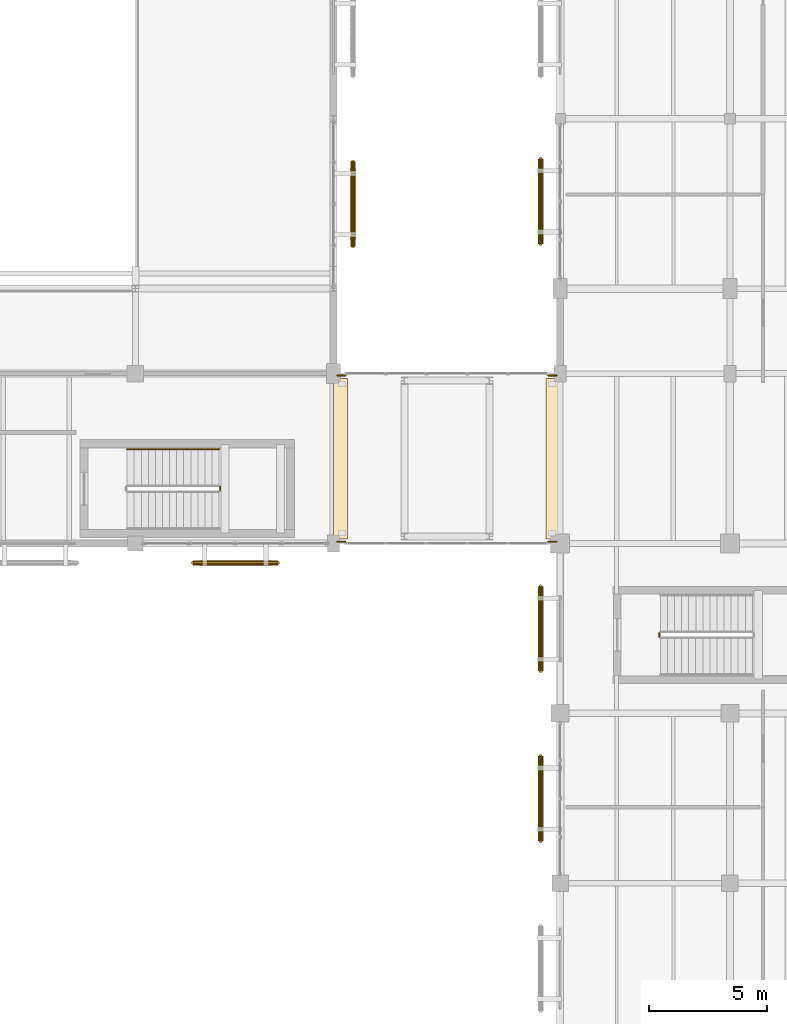
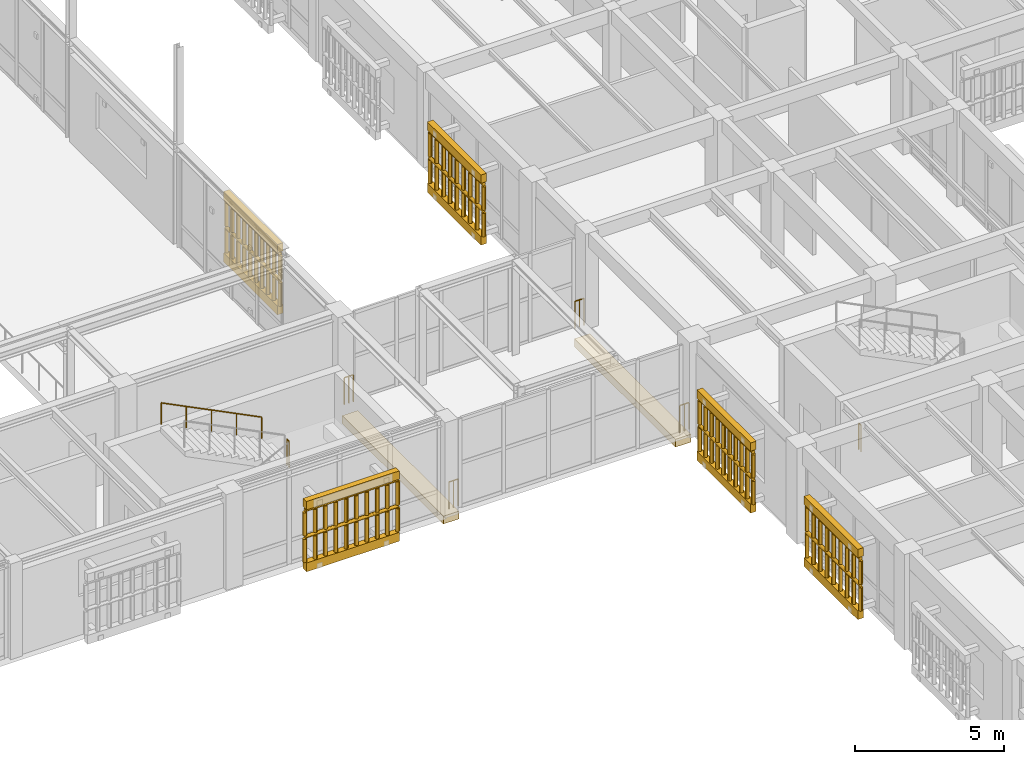
# One storey, part 160 of 170: 17 railings, 12 coverings.
"""IFC4 building model written with IfcOpenShell, lengths in metres."""

from ifc_helpers import new_model, si_unit, direction, frame, origin, origin_2d, place, context, subcontext, project, spatial, polyline, circle, outline, extrude, material, layer, layer_set, type_object, element, save


model = new_model("IFC4")

# Units and contexts
model_context = context("Model", 3, precision=1e-05, world=origin(), true_north=direction((0.0, 1.0)))
body_context = subcontext(model_context, "Body", "Model", "MODEL_VIEW")
ifc_project = project(units=[si_unit("LENGTHUNIT", "METRE"), si_unit("AREAUNIT", "SQUARE_METRE"), si_unit("VOLUMEUNIT", "CUBIC_METRE"), si_unit("PLANEANGLEUNIT", "RADIAN"), si_unit("MASSUNIT", "GRAM", prefix="KILO")], contexts=[model_context])

# Site, building, storey
site_placement = place(None, origin())
site = spatial("IfcSite", under=ifc_project, at=site_placement, CompositionType="ELEMENT")
building_placement = place(site_placement, origin())
building = spatial("IfcBuilding", under=site, at=building_placement, Name="Mazaris Harbour Polytechnic", CompositionType="ELEMENT")
storey_placement = place(building_placement, frame((0.0, 0.0, 5.39990234375)))
storey = spatial("IfcBuildingStorey", under=building, at=storey_placement, Name="L01", CompositionType="ELEMENT", Elevation=5.39990234375)

# Coverings
ifc_material_1 = material(Name="Concrete C40/50", Category="concrete")
ifc_layer_1 = layer(ifc_material_1, 0.320068359375, Name="Concrete C40/50")
ifc_layer_set_1 = layer_set([ifc_layer_1], Name="Concrete C40/50")
covering_type_1 = type_object("IfcCoveringType", Name="Bridge Bearing Corbel 600 Exterior", PredefinedType="CLADDING", material=ifc_layer_set_1)
covering_1_placement = place(storey_placement, frame((0.0, 0.0, -0.64990234375)))
element("IfcCovering", 1, at=covering_1_placement, inside=storey, type_object=covering_type_1, Name="PB-E2 L01 600mm Bridge Bearing Seat Corbel W", PredefinedType="CLADDING", context=body_context, shape_type="SweptSolid", body=[
    extrude(outline(polyline([(112.800048828125, 75.800048828125), (113.39990234375, 75.800048828125), (113.39990234375, 82.60009765625), (112.800048828125, 82.60009765625), (112.800048828125, 75.800048828125)])), origin(), (0.0, 0.0, 1.0), 0.320068359375),
])
covering_2_placement = place(storey_placement, frame((0.0, 0.0, -0.64990234375)))
element("IfcCovering", 2, at=covering_2_placement, inside=storey, type_object=covering_type_1, Name="PB-E2 L01 600mm Bridge Bearing Seat Corbel E", PredefinedType="CLADDING", context=body_context, shape_type="SweptSolid", body=[
    extrude(outline(polyline([(121.800048828125, 75.800048828125), (122.39990234375, 75.800048828125), (122.39990234375, 82.60009765625), (121.800048828125, 82.60009765625), (121.800048828125, 75.800048828125)])), origin(), (0.0, 0.0, 1.0), 0.320068359375),
])

# Railings
ifc_material_2 = material(Name="Steel S355", Category="steel")
railing_type_1 = type_object("IfcRailingType", Name="Mezzanine Steel Guardrail 1100 Exterior", PredefinedType="GUARDRAIL", material=ifc_material_2)
for number, where, name in (
    (3, (112.949951171875, 75.679931640625, 0.0), "PB-E2 L01 Bridge End Guard W0"),
    (4, (121.89990234375, 75.679931640625, 0.0), "PB-E2 L01 Bridge End Guard E0"),
    (5, (112.949951171875, 82.719970703125, 0.0), "PB-E2 L01 Bridge End Guard W1"),
    (6, (121.89990234375, 82.719970703125, 0.0), "PB-E2 L01 Bridge End Guard E1"),
):
    element("IfcRailing", number, at=place(storey_placement, frame(where)), inside=storey, type_object=railing_type_1, Name=name, PredefinedType="GUARDRAIL", context=body_context, shape_type="SweptSolid", body=[
        extrude(circle(Radius=0.02392578125, at=origin_2d()), frame((0.0, 0.0, 1.09619140625), z_axis=(1.0, 0.0, 0.0), x_axis=(0.0, 1.0, 0.0)), (0.0, 0.0, 1.0), 0.35009765625),
        extrude(circle(Radius=0.02099609375, at=origin_2d()), origin(), (0.0, 0.0, 1.0), 1.072021484375),
        extrude(circle(Radius=0.02099609375, at=origin_2d()), frame((0.175048828125, 0.0, 0.0)), (0.0, 0.0, 1.0), 1.072021484375),
        extrude(circle(Radius=0.02099609375, at=origin_2d()), frame((0.35009765625, 0.0, 0.0)), (0.0, 0.0, 1.0), 1.072021484375),
    ])
ifc_material_3 = material(Name="Perforated Earth-Coloured Terracotta Block", Category="masonry")
railing_type_2 = type_object("IfcRailingType", Name="Perforated Earth-Block Claustra Lattice 1040", PredefinedType="BALUSTRADE", material=ifc_material_3)
for number, where, name in (
    (7, (110.4375, 74.780029296875, 0.52001953125), "V1 L01 Lower Perforated Terracotta Block Screen 10"),
    (8, (110.4375, 74.780029296875, 1.610107421875), "V1 L01 Upper Perforated Terracotta Block Screen 10"),
):
    element("IfcRailing", number, at=place(storey_placement, frame(where)), inside=storey, type_object=railing_type_2, Name=name, PredefinedType="BALUSTRADE", context=body_context, shape_type="SweptSolid", body=[
        extrude(circle(Radius=0.06982421875, at=origin_2d()), frame((0.0, 0.0, 1.02001953125), z_axis=(-1.0, 0.0, 0.0), x_axis=(0.0, -1.0, 0.0)), (0.0, 0.0, 1.0), 3.60009765625),
        extrude(circle(Radius=0.074951171875, at=origin_2d()), origin(), (0.0, 0.0, 1.0), 0.9501953125),
        extrude(circle(Radius=0.074951171875, at=origin_2d()), frame((-0.39990234375, 0.0, 0.0)), (0.0, 0.0, 1.0), 0.9501953125),
        extrude(circle(Radius=0.074951171875, at=origin_2d()), frame((-0.800048828125, 0.0, 0.0)), (0.0, 0.0, 1.0), 0.9501953125),
        extrude(circle(Radius=0.074951171875, at=origin_2d()), frame((-1.199951171875, 0.0, 0.0)), (0.0, 0.0, 1.0), 0.9501953125),
        extrude(circle(Radius=0.074951171875, at=origin_2d()), frame((-1.60009765625, 0.0, 0.0)), (0.0, 0.0, 1.0), 0.9501953125),
        extrude(circle(Radius=0.074951171875, at=origin_2d()), frame((-2.0, 0.0, 0.0)), (0.0, 0.0, 1.0), 0.9501953125),
        extrude(circle(Radius=0.074951171875, at=origin_2d()), frame((-2.400146484375, 0.0, 0.0)), (0.0, 0.0, 1.0), 0.9501953125),
        extrude(circle(Radius=0.074951171875, at=origin_2d()), frame((-2.800048828125, 0.0, 0.0)), (0.0, 0.0, 1.0), 0.9501953125),
        extrude(circle(Radius=0.074951171875, at=origin_2d()), frame((-3.2001953125, 0.0, 0.0)), (0.0, 0.0, 1.0), 0.9501953125),
        extrude(circle(Radius=0.074951171875, at=origin_2d()), frame((-3.60009765625, 0.0, 0.0)), (0.0, 0.0, 1.0), 0.9501953125),
    ])
for number, where, name in (
    (9, (113.6201171875, 91.7900390625, 0.52001953125), "V1 L01 Lower Perforated Terracotta Block Screen 21"),
    (10, (113.6201171875, 91.7900390625, 1.610107421875), "V1 L01 Upper Perforated Terracotta Block Screen 21"),
):
    element("IfcRailing", number, at=place(storey_placement, frame(where)), inside=storey, type_object=railing_type_2, Name=name, PredefinedType="BALUSTRADE", context=body_context, shape_type="SweptSolid", body=[
        extrude(circle(Radius=0.06982421875, at=origin_2d()), frame((0.0, 0.0, 1.02001953125), z_axis=(0.0, -1.0, 0.0), x_axis=(1.0, 0.0, 0.0)), (0.0, 0.0, 1.0), 3.60009765625),
        extrude(circle(Radius=0.074951171875, at=origin_2d()), origin(), (0.0, 0.0, 1.0), 0.9501953125),
        extrude(circle(Radius=0.074951171875, at=origin_2d()), frame((0.0, -0.39990234375, 0.0)), (0.0, 0.0, 1.0), 0.9501953125),
        extrude(circle(Radius=0.074951171875, at=origin_2d()), frame((0.0, -0.800048828125, 0.0)), (0.0, 0.0, 1.0), 0.9501953125),
        extrude(circle(Radius=0.074951171875, at=origin_2d()), frame((0.0, -1.199951171875, 0.0)), (0.0, 0.0, 1.0), 0.9501953125),
        extrude(circle(Radius=0.074951171875, at=origin_2d()), frame((0.0, -1.60009765625, 0.0)), (0.0, 0.0, 1.0), 0.9501953125),
        extrude(circle(Radius=0.074951171875, at=origin_2d()), frame((0.0, -2.0, 0.0)), (0.0, 0.0, 1.0), 0.9501953125),
        extrude(circle(Radius=0.074951171875, at=origin_2d()), frame((0.0, -2.400146484375, 0.0)), (0.0, 0.0, 1.0), 0.9501953125),
        extrude(circle(Radius=0.074951171875, at=origin_2d()), frame((0.0, -2.800048828125, 0.0)), (0.0, 0.0, 1.0), 0.9501953125),
        extrude(circle(Radius=0.074951171875, at=origin_2d()), frame((0.0, -3.2001953125, 0.0)), (0.0, 0.0, 1.0), 0.9501953125),
        extrude(circle(Radius=0.074951171875, at=origin_2d()), frame((0.0, -3.60009765625, 0.0)), (0.0, 0.0, 1.0), 0.9501953125),
    ])
for number, where, name in (
    (11, (121.580078125, 62.987548828125, 0.52001953125), "V5 L01 Lower Perforated Terracotta Block Screen 381"),
    (12, (121.580078125, 62.987548828125, 1.610107421875), "V5 L01 Upper Perforated Terracotta Block Screen 381"),
):
    element("IfcRailing", number, at=place(storey_placement, frame(where)), inside=storey, type_object=railing_type_2, Name=name, PredefinedType="BALUSTRADE", context=body_context, shape_type="SweptSolid", body=[
        extrude(circle(Radius=0.06982421875, at=origin_2d()), frame((0.0, 0.0, 1.02001953125), z_axis=(0.0, 1.0, 0.0), x_axis=(-1.0, 0.0, 0.0)), (0.0, 0.0, 1.0), 3.599853515625),
        extrude(circle(Radius=0.074951171875, at=origin_2d()), origin(), (0.0, 0.0, 1.0), 0.9501953125),
        extrude(circle(Radius=0.074951171875, at=origin_2d()), frame((0.0, 0.449951171875, 0.0)), (0.0, 0.0, 1.0), 0.9501953125),
        extrude(circle(Radius=0.074951171875, at=origin_2d()), frame((0.0, 0.89990234375, 0.0)), (0.0, 0.0, 1.0), 0.9501953125),
        extrude(circle(Radius=0.074951171875, at=origin_2d()), frame((0.0, 1.349853515625, 0.0)), (0.0, 0.0, 1.0), 0.9501953125),
        extrude(circle(Radius=0.074951171875, at=origin_2d()), frame((0.0, 1.7998046875, 0.0)), (0.0, 0.0, 1.0), 0.9501953125),
        extrude(circle(Radius=0.074951171875, at=origin_2d()), frame((0.0, 2.25, 0.0)), (0.0, 0.0, 1.0), 0.9501953125),
        extrude(circle(Radius=0.074951171875, at=origin_2d()), frame((0.0, 2.699951171875, 0.0)), (0.0, 0.0, 1.0), 0.9501953125),
        extrude(circle(Radius=0.074951171875, at=origin_2d()), frame((0.0, 3.14990234375, 0.0)), (0.0, 0.0, 1.0), 0.9501953125),
        extrude(circle(Radius=0.074951171875, at=origin_2d()), frame((0.0, 3.599853515625, 0.0)), (0.0, 0.0, 1.0), 0.9501953125),
    ])
for number, where, name in (
    (13, (121.580078125, 70.1875, 0.52001953125), "V5 L01 Lower Perforated Terracotta Block Screen 382"),
    (14, (121.580078125, 70.1875, 1.610107421875), "V5 L01 Upper Perforated Terracotta Block Screen 382"),
):
    element("IfcRailing", number, at=place(storey_placement, frame(where)), inside=storey, type_object=railing_type_2, Name=name, PredefinedType="BALUSTRADE", context=body_context, shape_type="SweptSolid", body=[
        extrude(circle(Radius=0.06982421875, at=origin_2d()), frame((0.0, 0.0, 1.02001953125), z_axis=(0.0, 1.0, 0.0), x_axis=(-1.0, 0.0, 0.0)), (0.0, 0.0, 1.0), 3.60009765625),
        extrude(circle(Radius=0.074951171875, at=origin_2d()), origin(), (0.0, 0.0, 1.0), 0.9501953125),
        extrude(circle(Radius=0.074951171875, at=origin_2d()), frame((0.0, 0.39990234375, 0.0)), (0.0, 0.0, 1.0), 0.9501953125),
        extrude(circle(Radius=0.074951171875, at=origin_2d()), frame((0.0, 0.800048828125, 0.0)), (0.0, 0.0, 1.0), 0.9501953125),
        extrude(circle(Radius=0.074951171875, at=origin_2d()), frame((0.0, 1.199951171875, 0.0)), (0.0, 0.0, 1.0), 0.9501953125),
        extrude(circle(Radius=0.074951171875, at=origin_2d()), frame((0.0, 1.60009765625, 0.0)), (0.0, 0.0, 1.0), 0.9501953125),
        extrude(circle(Radius=0.074951171875, at=origin_2d()), frame((0.0, 2.0, 0.0)), (0.0, 0.0, 1.0), 0.9501953125),
        extrude(circle(Radius=0.074951171875, at=origin_2d()), frame((0.0, 2.400146484375, 0.0)), (0.0, 0.0, 1.0), 0.9501953125),
        extrude(circle(Radius=0.074951171875, at=origin_2d()), frame((0.0, 2.800048828125, 0.0)), (0.0, 0.0, 1.0), 0.9501953125),
        extrude(circle(Radius=0.074951171875, at=origin_2d()), frame((0.0, 3.2001953125, 0.0)), (0.0, 0.0, 1.0), 0.9501953125),
        extrude(circle(Radius=0.074951171875, at=origin_2d()), frame((0.0, 3.60009765625, 0.0)), (0.0, 0.0, 1.0), 0.9501953125),
    ])
for number, where, name in (
    (15, (121.580078125, 88.300048828125, 0.52001953125), "V5 L01 Lower Perforated Terracotta Block Screen 383"),
    (16, (121.580078125, 88.300048828125, 1.610107421875), "V5 L01 Upper Perforated Terracotta Block Screen 383"),
):
    element("IfcRailing", number, at=place(storey_placement, frame(where)), inside=storey, type_object=railing_type_2, Name=name, PredefinedType="BALUSTRADE", context=body_context, shape_type="SweptSolid", body=[
        extrude(circle(Radius=0.06982421875, at=origin_2d()), frame((0.0, 0.0, 1.02001953125), z_axis=(0.0, 1.0, 0.0), x_axis=(-1.0, 0.0, 0.0)), (0.0, 0.0, 1.0), 3.599853515625),
        extrude(circle(Radius=0.074951171875, at=origin_2d()), origin(), (0.0, 0.0, 1.0), 0.9501953125),
        extrude(circle(Radius=0.074951171875, at=origin_2d()), frame((0.0, 0.449951171875, 0.0)), (0.0, 0.0, 1.0), 0.9501953125),
        extrude(circle(Radius=0.074951171875, at=origin_2d()), frame((0.0, 0.89990234375, 0.0)), (0.0, 0.0, 1.0), 0.9501953125),
        extrude(circle(Radius=0.074951171875, at=origin_2d()), frame((0.0, 1.349853515625, 0.0)), (0.0, 0.0, 1.0), 0.9501953125),
        extrude(circle(Radius=0.074951171875, at=origin_2d()), frame((0.0, 1.7998046875, 0.0)), (0.0, 0.0, 1.0), 0.9501953125),
        extrude(circle(Radius=0.074951171875, at=origin_2d()), frame((0.0, 2.25, 0.0)), (0.0, 0.0, 1.0), 0.9501953125),
        extrude(circle(Radius=0.074951171875, at=origin_2d()), frame((0.0, 2.699951171875, 0.0)), (0.0, 0.0, 1.0), 0.9501953125),
        extrude(circle(Radius=0.074951171875, at=origin_2d()), frame((0.0, 3.14990234375, 0.0)), (0.0, 0.0, 1.0), 0.9501953125),
        extrude(circle(Radius=0.074951171875, at=origin_2d()), frame((0.0, 3.599853515625, 0.0)), (0.0, 0.0, 1.0), 0.9501953125),
    ])
ifc_material_4 = material(Name="Stainless Steel S355", Category="steel")
railing_type_3 = type_object("IfcRailingType", Name="Stair Wall Handrail 900", PredefinedType="HANDRAIL", material=ifc_material_4)
railing_1_placement = place(storey_placement, frame((107.949951171875, 79.60009765625, 2.25)))
element("IfcRailing", 17, at=railing_1_placement, inside=storey, type_object=railing_type_3, Name="L01 ST02 stair handrail 2", PredefinedType="HANDRAIL", context=body_context, shape_type="SweptSolid", body=[
    extrude(circle(Radius=0.02392578125, at=origin_2d()), frame((0.0, 0.0, 0.8759765625), z_axis=(-0.894404793364, 0.0, 0.447258387967), x_axis=(0.0, -1.0, 0.0)), (0.0, 0.0, 1.0), 4.3603515625),
    extrude(circle(Radius=0.02099609375, at=origin_2d()), origin(), (0.0, 0.0, 1.0), 0.851806640625),
    extrude(circle(Radius=0.02099609375, at=origin_2d()), frame((-0.97509765625, 0.0, 0.487548828125)), (0.0, 0.0, 1.0), 0.851806640625),
    extrude(circle(Radius=0.02099609375, at=origin_2d()), frame((-1.949951171875, 0.0, 0.97509765625)), (0.0, 0.0, 1.0), 0.851806640625),
    extrude(circle(Radius=0.02099609375, at=origin_2d()), frame((-2.9248046875, 0.0, 1.462646484375)), (0.0, 0.0, 1.0), 0.851806640625),
    extrude(circle(Radius=0.02099609375, at=origin_2d()), frame((-3.89990234375, 0.0, 1.9501953125)), (0.0, 0.0, 1.0), 0.851806640625),
])
ifc_material_5 = material(Name="Steel S355", Category="steel")
railing_type_4 = type_object("IfcRailingType", Name="Stair Well Guardrail 1100", PredefinedType="GUARDRAIL", material=ifc_material_5)
railing_2_placement = place(storey_placement, frame((108.0, 77.85009765625, 2.10009765625)))
element("IfcRailing", 18, at=railing_2_placement, inside=storey, type_object=railing_type_4, Name="L01 ST02 stair guard 2", PredefinedType="GUARDRAIL", context=body_context, shape_type="SweptSolid", body=[
    extrude(circle(Radius=0.02392578125, at=origin_2d()), frame((0.0, 0.0, 1.076171875), z_axis=(0.0, 1.0, 0.0), x_axis=(-1.0, 0.0, 0.0)), (0.0, 0.0, 1.0), 0.14990234375),
    extrude(circle(Radius=0.02099609375, at=origin_2d()), origin(), (0.0, 0.0, 1.0), 1.052001953125),
    extrude(circle(Radius=0.02099609375, at=origin_2d()), frame((0.0, 0.14990234375, 0.0)), (0.0, 0.0, 1.0), 1.052001953125),
])
railing_3_placement = place(storey_placement, frame((126.60009765625, 71.64990234375, 0.0)))
element("IfcRailing", 19, at=railing_3_placement, inside=storey, type_object=railing_type_4, Name="L01 ST09 stair guard 4", PredefinedType="GUARDRAIL", context=body_context, shape_type="SweptSolid", body=[
    extrude(circle(Radius=0.02392578125, at=origin_2d()), frame((0.0, 0.0, 1.076171875), z_axis=(0.0, 1.0, 0.0), x_axis=(-1.0, 0.0, 0.0)), (0.0, 0.0, 1.0), 0.150146484375),
    extrude(circle(Radius=0.02099609375, at=origin_2d()), origin(), (0.0, 0.0, 1.0), 1.052001953125),
    extrude(circle(Radius=0.02099609375, at=origin_2d()), frame((0.0, 0.150146484375, 0.0)), (0.0, 0.0, 1.0), 1.052001953125),
])

# Coverings
ifc_material_6 = material(Name="Perforated Earth-Coloured Terracotta Block", Category="masonry")
ifc_layer_2 = layer(ifc_material_6, 0.219970703125, Name="Perforated Earth-Coloured Terracotta Block")
ifc_layer_set_2 = layer_set([ifc_layer_2], Name="Perforated Earth-Coloured Terracotta Block")
covering_type_2 = type_object("IfcCoveringType", Name="Terracotta Screen Course Cladding 220", PredefinedType="CLADDING", material=ifc_layer_set_2)
covering_3_placement = place(storey_placement, frame((0.0, 0.0, 0.16015625)))
element("IfcCovering", 20, at=covering_3_placement, inside=storey, type_object=covering_type_2, Name="V1 L01 Perforated Screen Sill Course 10", PredefinedType="CLADDING", context=body_context, shape_type="SweptSolid", body=[
    extrude(outline(polyline([(110.4375, 74.889892578125), (106.83740234375, 74.889892578125), (106.83740234375, 74.669921875), (110.4375, 74.669921875), (110.4375, 74.889892578125)])), origin(), (0.0, 0.0, 1.0), 0.35986328125),
])
covering_4_placement = place(storey_placement, frame((0.0, 0.0, 2.7001953125)))
element("IfcCovering", 21, at=covering_4_placement, inside=storey, type_object=covering_type_2, Name="V1 L01 Perforated Screen Lintel Course 10", PredefinedType="CLADDING", context=body_context, shape_type="SweptSolid", body=[
    extrude(outline(polyline([(110.4375, 74.889892578125), (106.83740234375, 74.889892578125), (106.83740234375, 74.669921875), (110.4375, 74.669921875), (110.4375, 74.889892578125)])), origin(), (0.0, 0.0, 1.0), 0.33984375),
])
covering_5_placement = place(storey_placement, frame((0.0, 0.0, 0.16015625)))
element("IfcCovering", 22, at=covering_5_placement, inside=storey, type_object=covering_type_2, Name="V1 L01 Perforated Screen Sill Course 21", PredefinedType="CLADDING", context=body_context, shape_type="SweptSolid", body=[
    extrude(outline(polyline([(113.510009765625, 91.7900390625), (113.510009765625, 88.18994140625), (113.72998046875, 88.18994140625), (113.72998046875, 91.7900390625), (113.510009765625, 91.7900390625)])), origin(), (0.0, 0.0, 1.0), 0.35986328125),
])
covering_6_placement = place(storey_placement, frame((0.0, 0.0, 2.7001953125)))
element("IfcCovering", 23, at=covering_6_placement, inside=storey, type_object=covering_type_2, Name="V1 L01 Perforated Screen Lintel Course 21", PredefinedType="CLADDING", context=body_context, shape_type="SweptSolid", body=[
    extrude(outline(polyline([(113.510009765625, 91.7900390625), (113.510009765625, 88.18994140625), (113.72998046875, 88.18994140625), (113.72998046875, 91.7900390625), (113.510009765625, 91.7900390625)])), origin(), (0.0, 0.0, 1.0), 0.33984375),
])
covering_7_placement = place(storey_placement, frame((0.0, 0.0, 0.16015625)))
element("IfcCovering", 24, at=covering_7_placement, inside=storey, type_object=covering_type_2, Name="V5 L01 Perforated Screen Sill Course 381", PredefinedType="CLADDING", context=body_context, shape_type="SweptSolid", body=[
    extrude(outline(polyline([(121.68994140625, 62.987548828125), (121.68994140625, 66.58740234375), (121.469970703125, 66.58740234375), (121.469970703125, 62.987548828125), (121.68994140625, 62.987548828125)])), origin(), (0.0, 0.0, 1.0), 0.35986328125),
])
covering_8_placement = place(storey_placement, frame((0.0, 0.0, 2.7001953125)))
element("IfcCovering", 25, at=covering_8_placement, inside=storey, type_object=covering_type_2, Name="V5 L01 Perforated Screen Lintel Course 381", PredefinedType="CLADDING", context=body_context, shape_type="SweptSolid", body=[
    extrude(outline(polyline([(121.68994140625, 62.987548828125), (121.68994140625, 66.58740234375), (121.469970703125, 66.58740234375), (121.469970703125, 62.987548828125), (121.68994140625, 62.987548828125)])), origin(), (0.0, 0.0, 1.0), 0.33984375),
])
covering_9_placement = place(storey_placement, frame((0.0, 0.0, 0.16015625)))
element("IfcCovering", 26, at=covering_9_placement, inside=storey, type_object=covering_type_2, Name="V5 L01 Perforated Screen Sill Course 382", PredefinedType="CLADDING", context=body_context, shape_type="SweptSolid", body=[
    extrude(outline(polyline([(121.68994140625, 70.1875), (121.68994140625, 73.78759765625), (121.469970703125, 73.78759765625), (121.469970703125, 70.1875), (121.68994140625, 70.1875)])), origin(), (0.0, 0.0, 1.0), 0.35986328125),
])
covering_10_placement = place(storey_placement, frame((0.0, 0.0, 2.7001953125)))
element("IfcCovering", 27, at=covering_10_placement, inside=storey, type_object=covering_type_2, Name="V5 L01 Perforated Screen Lintel Course 382", PredefinedType="CLADDING", context=body_context, shape_type="SweptSolid", body=[
    extrude(outline(polyline([(121.68994140625, 70.1875), (121.68994140625, 73.78759765625), (121.469970703125, 73.78759765625), (121.469970703125, 70.1875), (121.68994140625, 70.1875)])), origin(), (0.0, 0.0, 1.0), 0.33984375),
])
covering_11_placement = place(storey_placement, frame((0.0, 0.0, 0.16015625)))
element("IfcCovering", 28, at=covering_11_placement, inside=storey, type_object=covering_type_2, Name="V5 L01 Perforated Screen Sill Course 383", PredefinedType="CLADDING", context=body_context, shape_type="SweptSolid", body=[
    extrude(outline(polyline([(121.68994140625, 88.300048828125), (121.68994140625, 91.89990234375), (121.469970703125, 91.89990234375), (121.469970703125, 88.300048828125), (121.68994140625, 88.300048828125)])), origin(), (0.0, 0.0, 1.0), 0.35986328125),
])
covering_12_placement = place(storey_placement, frame((0.0, 0.0, 2.7001953125)))
element("IfcCovering", 29, at=covering_12_placement, inside=storey, type_object=covering_type_2, Name="V5 L01 Perforated Screen Lintel Course 383", PredefinedType="CLADDING", context=body_context, shape_type="SweptSolid", body=[
    extrude(outline(polyline([(121.68994140625, 88.300048828125), (121.68994140625, 91.89990234375), (121.469970703125, 91.89990234375), (121.469970703125, 88.300048828125), (121.68994140625, 88.300048828125)])), origin(), (0.0, 0.0, 1.0), 0.33984375),
])

save(model, "model.ifc")
